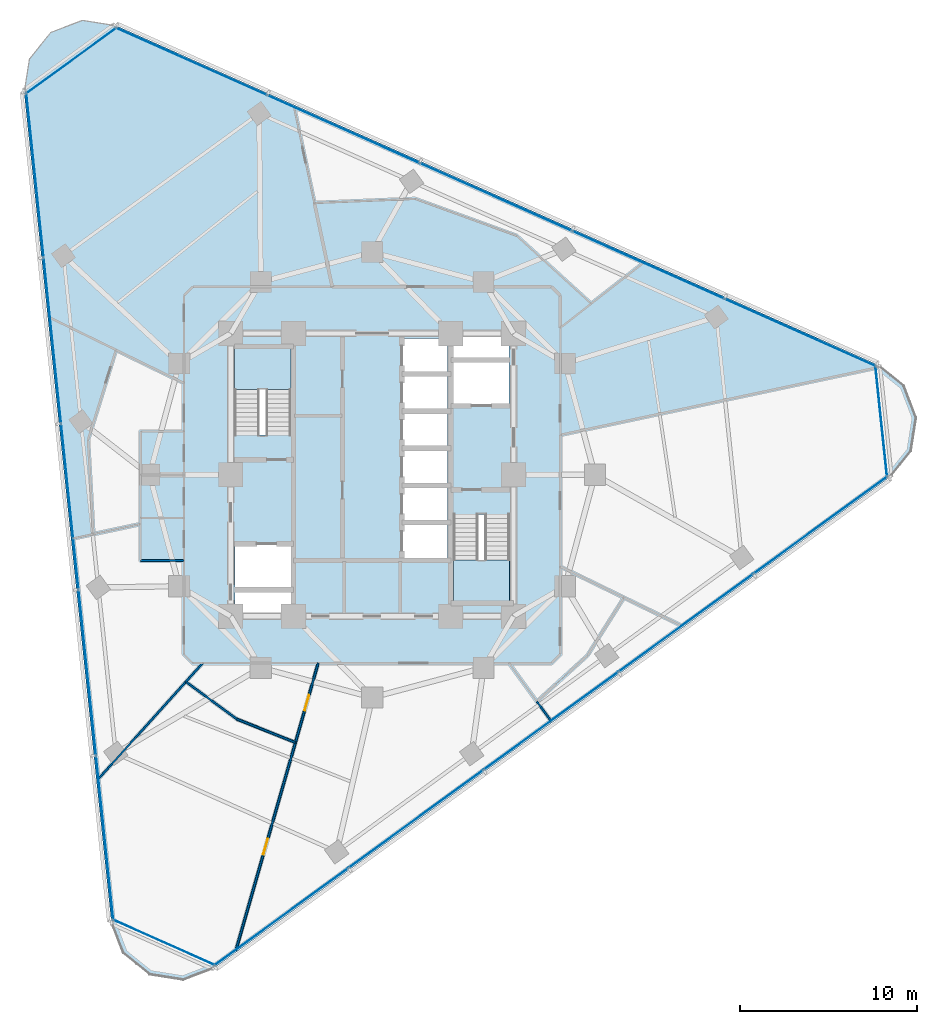
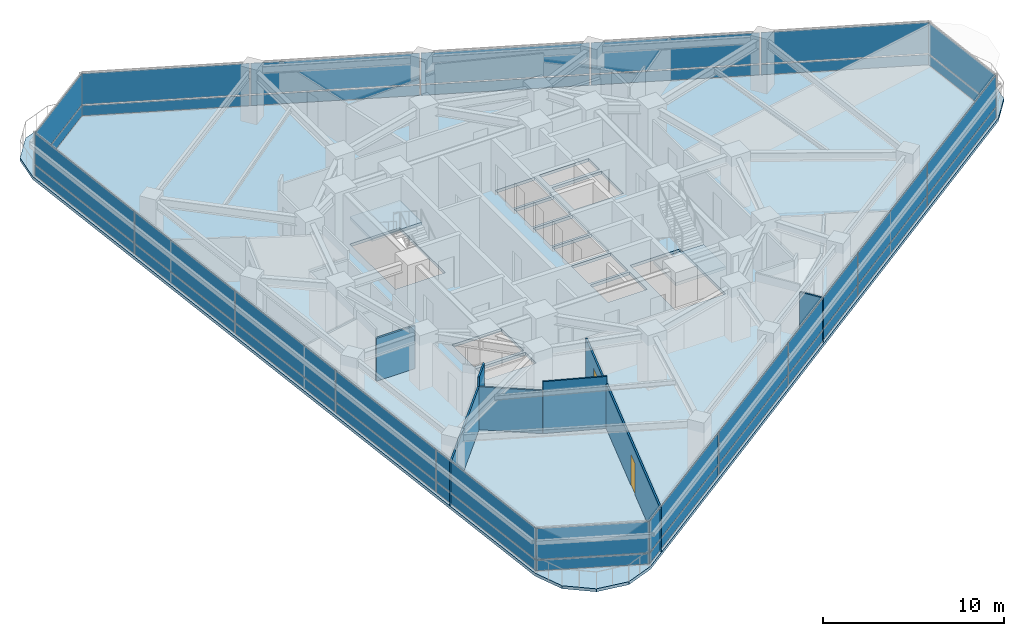
# One storey, part 7 of 14: 36 plates, 8 walls, 3 slabs, 2 doors, 2 openings, 8 elements without a shape of their own.
"""IFC4 building model written with IfcOpenShell, lengths in metres."""

from ifc_helpers import new_model, si_unit, direction, frame, frame_2d, origin, origin_2d, place, context, subcontext, project, spatial, polyline, rectangle, outline, extrude, material, layer, layer_set, type_object, element, fill, aggregate, save


model = new_model("IFC4")

# Units and contexts
model_context = context("Model", 3, precision=1e-05, world=origin(), true_north=direction((0.0, 1.0)))
body_context = subcontext(model_context, "Body", "Model", "MODEL_VIEW")
ifc_project = project(units=[si_unit("LENGTHUNIT", "METRE"), si_unit("AREAUNIT", "SQUARE_METRE"), si_unit("VOLUMEUNIT", "CUBIC_METRE"), si_unit("PLANEANGLEUNIT", "RADIAN"), si_unit("MASSUNIT", "GRAM", prefix="KILO")], contexts=[model_context])

# Site, building, storey
site_placement = place(None, origin())
site = spatial("IfcSite", under=ifc_project, at=site_placement, CompositionType="ELEMENT")
building_placement = place(site_placement, origin())
building = spatial("IfcBuilding", under=site, at=building_placement, Name="Terralouvre Media Tower", CompositionType="ELEMENT")
storey_placement = place(building_placement, frame((0.0, 0.0, 169.39990234375)))
storey = spatial("IfcBuildingStorey", under=building, at=storey_placement, Name="L43", CompositionType="ELEMENT", Elevation=169.39990234375)

# Slab
ifc_material_1 = material(Name="Concrete C40/50", Category="concrete")
ifc_layer_1 = layer(ifc_material_1, 0.199951171875, Name="Composite Tower Floor Slab S-TYP200")
ifc_layer_set_1 = layer_set([ifc_layer_1], Name="Concrete C40/50")
slab_type_1 = type_object("IfcSlabType", Name="Composite Tower Floor Slab S-TYP200", PredefinedType="FLOOR", material=ifc_layer_set_1)
slab_1_placement = place(storey_placement, frame((0.0, 0.0, -0.199951171875), z_axis=(0.0, 0.0, 1.0), x_axis=(0.809016994375, 0.587785252292, 0.0)))
element("IfcSlab", 1, at=slab_1_placement, inside=storey, type_object=slab_type_1, Name="L43 Structural Floor Slab", PredefinedType="FLOOR", context=body_context, shape_type="SweptSolid", body=[
    extrude(outline(polyline([(-26.80419921875, -11.775390625), (-27.300048828125, -13.62548828125), (-26.80419921875, -15.475341796875), (-25.449951171875, -16.829833984375), (-23.60009765625, -17.325439453125), (23.60009765625, -17.325439453125), (25.449951171875, -16.829833984375), (26.80419921875, -15.4755859375), (27.300048828125, -13.62548828125), (26.80419921875, -11.775390625), (3.204345703125, 29.100830078125), (1.85009765625, 30.455322265625), (0.0, 30.950927734375), (-1.85009765625, 30.455322265625), (-3.204345703125, 29.100830078125), (-26.80419921875, -11.775390625)]), holes=[polyline([(-7.600830078125, -2.6357421875), (-8.30615234375, -3.6064453125), (-10.8544921875, -1.7548828125), (-10.149169921875, -0.7841796875), (-7.600830078125, -2.6357421875)]), polyline([(-7.4833984375, -2.473876953125), (-10.03173828125, -0.622314453125), (-8.591552734375, 1.359619140625), (-6.043212890625, -0.49169921875), (-7.4833984375, -2.473876953125)]), polyline([(4.366943359375, -1.2197265625), (2.344482421875, 0.24951171875), (3.48486328125, 1.819091796875), (5.50732421875, 0.349609375), (4.366943359375, -1.2197265625)]), polyline([(6.74169921875, 2.048583984375), (5.601318359375, 0.47900390625), (3.578857421875, 1.948486328125), (4.71923828125, 3.51806640625), (6.74169921875, 2.048583984375)]), polyline([(-2.40185546875, 4.52001953125), (-4.974609375, 6.38916015625), (-2.02685546875, 10.446533203125), (0.5458984375, 8.577392578125), (-2.40185546875, 4.52001953125)]), polyline([(6.835693359375, 2.177978515625), (4.813232421875, 3.6474609375), (5.953369140625, 5.217041015625), (7.97607421875, 3.74755859375), (6.835693359375, 2.177978515625)]), polyline([(-0.5458984375, -8.577392578125), (2.40185546875, -4.52001953125), (4.974609375, -6.38916015625), (2.02685546875, -10.446533203125), (-0.5458984375, -8.577392578125)]), polyline([(0.6640625, -6.316650390625), (-1.358642578125, -4.84716796875), (-0.21826171875, -3.277587890625), (1.80419921875, -4.7470703125), (0.6640625, -6.316650390625)]), polyline([(1.8984375, -4.61767578125), (-0.124267578125, -3.148193359375), (1.01611328125, -1.578857421875), (3.03857421875, -3.04833984375), (1.8984375, -4.61767578125)]), polyline([(4.27294921875, -1.349365234375), (3.132568359375, -2.918701171875), (1.110107421875, -1.44921875), (2.25048828125, 0.1201171875), (4.27294921875, -1.349365234375)]), polyline([(8.591552734375, -1.359619140625), (6.043212890625, 0.49169921875), (7.4833984375, 2.473876953125), (10.03173828125, 0.622314453125), (8.591552734375, -1.359619140625)]), polyline([(10.149169921875, 0.7841796875), (7.600830078125, 2.6357421875), (8.30615234375, 3.6064453125), (10.8544921875, 1.7548828125), (10.149169921875, 0.7841796875)])]), origin(), (0.0, 0.0, 1.0), 0.199951171875),
])

# Stair, slab
ifc_material_2 = material(Name="Concrete C45/55", Category="concrete")
stair_type_1 = type_object("IfcStairType", Name="Dogleg Stair Assembly ST-01", PredefinedType="HALF_TURN_STAIR", material=ifc_material_2)
stair_1_placement = place(storey_placement, origin())
stair_1 = element("IfcStair", 2, at=stair_1_placement, inside=storey, type_object=stair_type_1, Name="L43 Core Pressurised Exit Stair ST-01", PredefinedType="HALF_TURN_STAIR")
ifc_material_3 = material(Name="Concrete C45/55", Category="concrete")
ifc_layer_2 = layer(ifc_material_3, 0.199951171875, Name="Reinforced Concrete Stair Half-Landing SL-LD1")
ifc_layer_set_2 = layer_set([ifc_layer_2], Name="Concrete C45/55")
slab_type_2 = type_object("IfcSlabType", Name="Reinforced Concrete Stair Half-Landing SL-LD1", PredefinedType="LANDING", material=ifc_layer_set_2)
slab_2_placement = place(storey_placement, frame((0.0, 0.0, 1.650146484375)))
slab_2 = element("IfcSlab", 3, at=slab_2_placement, type_object=slab_type_2, Name="ST-01 landing 1", PredefinedType="LANDING", context=body_context, shape_type="SweptSolid", body=[
    extrude(outline(polyline([(-4.60009765625, 4.820068359375), (-4.60009765625, 7.260009765625), (-7.780029296875, 7.260009765625), (-7.780029296875, 4.820068359375), (-4.60009765625, 4.820068359375)])), origin(), (0.0, 0.0, 1.0), 0.199951171875),
])
aggregate(stair_1, [slab_2])

ifc_material_4 = material(Name="Concrete C45/55", Category="concrete")
stair_type_2 = type_object("IfcStairType", Name="Dogleg Stair Assembly ST-02", PredefinedType="HALF_TURN_STAIR", material=ifc_material_4)
stair_2_placement = place(storey_placement, origin())
stair_2 = element("IfcStair", 4, at=stair_2_placement, inside=storey, type_object=stair_type_2, Name="L43 Core Pressurised Exit Stair ST-02", PredefinedType="HALF_TURN_STAIR")
slab_3_placement = place(storey_placement, frame((0.0, 0.0, 1.650146484375)))
slab_3 = element("IfcSlab", 5, at=slab_3_placement, type_object=slab_type_2, Name="ST-02 landing 1", PredefinedType="LANDING", context=body_context, shape_type="SweptSolid", body=[
    extrude(outline(polyline([(4.60009765625, -4.820068359375), (4.60009765625, -7.260009765625), (7.780029296875, -7.260009765625), (7.780029296875, -4.820068359375), (4.60009765625, -4.820068359375)])), origin(), (0.0, 0.0, 1.0), 0.199951171875),
])
aggregate(stair_2, [slab_3])

# Curtain wall, plates
ifc_material_5 = material(Name="Low-iron laminated double glazing with solar-control coating", Category="glass")
ifc_layer_3 = layer(ifc_material_5, 0.1650390625, Name="Rounded Wind-Corner Curved Glazing CW-04")
ifc_layer_set_3 = layer_set([ifc_layer_3], Name="Low-iron laminated double glazing with solar-control coating")
curtain_wall_type_1 = type_object("IfcCurtainWallType", Name="Rounded Wind-Corner Curved Glazing CW-04", PredefinedType="NOTDEFINED", material=ifc_layer_set_3)
curtain_wall_1_placement = place(storey_placement, origin())
curtain_wall_1 = element("IfcCurtainWall", 6, at=curtain_wall_1_placement, inside=storey, type_object=curtain_wall_type_1, Name="L43 Rounded Wind-Corner Curtain Wall C0", PredefinedType="NOTDEFINED")
ifc_material_6 = material(Name="Low-iron laminated double glazing with solar-control coating", Category="glass")
ifc_layer_4 = layer(ifc_material_6, 0.0400390625, Name="Rounded Corner Laminated Vision Panel CWP-03")
ifc_layer_set_4 = layer_set([ifc_layer_4], Name="Low-iron laminated double glazing with solar-control coating")
plate_type_1 = type_object("IfcPlateType", Name="Rounded Corner Laminated Vision Panel CWP-03", PredefinedType="CURTAIN_PANEL", material=ifc_layer_set_4)
plate_1_placement = place(storey_placement, frame((-11.779541015625, -26.45703125, 0.0751953125), z_axis=(0.0, 0.0, 1.0), x_axis=(0.913545408199, -0.406736754128, 0.0)))
plate_1 = element("IfcPlate", 7, at=plate_1_placement, type_object=plate_type_1, Name="CW-04 panel 1.1", PredefinedType="CURTAIN_PANEL", context=body_context, shape_type="SweptSolid", body=[
    extrude(rectangle(XDim=6.258544921875, YDim=0.035888671875, at=origin_2d()), origin(), (0.0, 0.0, 1.0), 0.6875),
])
plate_2_placement = place(storey_placement, frame((-11.779541015625, -26.45703125, 0.837646484375), z_axis=(0.0, 0.0, 1.0), x_axis=(0.913545408199, -0.406736754128, 0.0)))
plate_2 = element("IfcPlate", 8, at=plate_2_placement, type_object=plate_type_1, Name="CW-04 panel 1.2", PredefinedType="CURTAIN_PANEL", context=body_context, shape_type="SweptSolid", body=[
    extrude(rectangle(XDim=6.258544921875, YDim=0.035888671875, at=origin_2d()), origin(), (0.0, 0.0, 1.0), 2.08740234375),
])
aggregate(curtain_wall_1, [plate_1, plate_2])

curtain_wall_2_placement = place(storey_placement, origin())
curtain_wall_2 = element("IfcCurtainWall", 9, at=curtain_wall_2_placement, inside=storey, type_object=curtain_wall_type_1, Name="L43 Rounded Wind-Corner Curtain Wall C1", PredefinedType="NOTDEFINED")
plate_3_placement = place(storey_placement, frame((28.80224609375, 3.02734375, 0.0751953125), z_axis=(0.0, 0.0, 1.0), x_axis=(-0.10452850319, 0.994521891172, 0.0)))
plate_3 = element("IfcPlate", 10, at=plate_3_placement, type_object=plate_type_1, Name="CW-04 panel 1.1", PredefinedType="CURTAIN_PANEL", context=body_context, shape_type="SweptSolid", body=[
    extrude(rectangle(XDim=6.258544921875, YDim=0.035888671875, at=origin_2d()), origin(), (0.0, 0.0, 1.0), 0.6875),
])
plate_4_placement = place(storey_placement, frame((28.80224609375, 3.02734375, 0.837646484375), z_axis=(0.0, 0.0, 1.0), x_axis=(-0.10452850319, 0.994521891172, 0.0)))
plate_4 = element("IfcPlate", 11, at=plate_4_placement, type_object=plate_type_1, Name="CW-04 panel 1.2", PredefinedType="CURTAIN_PANEL", context=body_context, shape_type="SweptSolid", body=[
    extrude(rectangle(XDim=6.258544921875, YDim=0.035888671875, at=origin_2d()), origin(), (0.0, 0.0, 1.0), 2.08740234375),
])
aggregate(curtain_wall_2, [plate_3, plate_4])

curtain_wall_3_placement = place(storey_placement, origin())
curtain_wall_3 = element("IfcCurtainWall", 12, at=curtain_wall_3_placement, inside=storey, type_object=curtain_wall_type_1, Name="L43 Rounded Wind-Corner Curtain Wall C2", PredefinedType="NOTDEFINED")
plate_5_placement = place(storey_placement, frame((-17.022705078125, 23.429931640625, 0.0751953125), z_axis=(0.0, 0.0, 1.0), x_axis=(-0.809017438344, -0.587784641221, 0.0)))
plate_5 = element("IfcPlate", 13, at=plate_5_placement, type_object=plate_type_1, Name="CW-04 panel 1.1", PredefinedType="CURTAIN_PANEL", context=body_context, shape_type="SweptSolid", body=[
    extrude(rectangle(XDim=6.258544921875, YDim=0.035888671875, at=origin_2d()), origin(), (0.0, 0.0, 1.0), 0.6875),
])
plate_6_placement = place(storey_placement, frame((-17.022705078125, 23.429931640625, 0.837646484375), z_axis=(0.0, 0.0, 1.0), x_axis=(-0.809017438344, -0.587784641221, 0.0)))
plate_6 = element("IfcPlate", 14, at=plate_6_placement, type_object=plate_type_1, Name="CW-04 panel 1.2", PredefinedType="CURTAIN_PANEL", context=body_context, shape_type="SweptSolid", body=[
    extrude(rectangle(XDim=6.258544921875, YDim=0.035888671875, at=origin_2d()), origin(), (0.0, 0.0, 1.0), 2.08740234375),
])
aggregate(curtain_wall_3, [plate_5, plate_6])

ifc_material_7 = material(Name="Low-iron laminated double glazing with solar-control coating", Category="glass")
ifc_layer_5 = layer(ifc_material_7, 0.1650390625, Name="Production Studio Tower Curtain Wall CW-03")
ifc_layer_set_5 = layer_set([ifc_layer_5], Name="Low-iron laminated double glazing with solar-control coating")
curtain_wall_type_2 = type_object("IfcCurtainWallType", Name="Production Studio Tower Curtain Wall CW-03", PredefinedType="NOTDEFINED", material=ifc_layer_set_5)
curtain_wall_4_placement = place(storey_placement, origin())
curtain_wall_4 = element("IfcCurtainWall", 15, at=curtain_wall_4_placement, inside=storey, type_object=curtain_wall_type_2, Name="L43 Facade Curtain Wall F0", PredefinedType="NOTDEFINED")
ifc_material_8 = material(Name="Low-iron laminated double glazing with solar-control coating", Category="glass")
ifc_layer_6 = layer(ifc_material_8, 0.035888671875, Name="Vision Double-Glazed Unit CWP-01")
ifc_layer_set_6 = layer_set([ifc_layer_6], Name="Low-iron laminated double glazing with solar-control coating")
plate_type_2 = type_object("IfcPlateType", Name="Vision Double-Glazed Unit CWP-01", PredefinedType="CURTAIN_PANEL", material=ifc_layer_set_6)
plate_7_placement = place(storey_placement, frame((-5.14599609375, -25.005859375, 0.0751953125), z_axis=(0.0, 0.0, 1.0), x_axis=(0.809016917383, 0.587785358263, 0.0)))
plate_7 = element("IfcPlate", 16, at=plate_7_placement, type_object=plate_type_2, Name="CW-03 panel 1.1", PredefinedType="CURTAIN_PANEL", context=body_context, shape_type="SweptSolid", body=[
    extrude(rectangle(XDim=9.327392578125, YDim=0.035888671875, at=origin_2d()), origin(), (0.0, 0.0, 1.0), 0.6875),
])
plate_8_placement = place(storey_placement, frame((-5.14599609375, -25.005859375, 0.837646484375), z_axis=(0.0, 0.0, 1.0), x_axis=(0.809016917383, 0.587785358263, 0.0)))
plate_8 = element("IfcPlate", 17, at=plate_8_placement, type_object=plate_type_2, Name="CW-03 panel 1.2", PredefinedType="CURTAIN_PANEL", context=body_context, shape_type="SweptSolid", body=[
    extrude(rectangle(XDim=9.327392578125, YDim=0.035888671875, at=origin_2d()), origin(), (0.0, 0.0, 1.0), 2.08740234375),
])
plate_9_placement = place(storey_placement, frame((2.47607421875, -19.46826171875, 0.0751953125), z_axis=(0.0, 0.0, 1.0), x_axis=(0.809016917383, 0.587785358263, 0.0)))
plate_9 = element("IfcPlate", 18, at=plate_9_placement, type_object=plate_type_2, Name="CW-03 panel 2.1", PredefinedType="CURTAIN_PANEL", context=body_context, shape_type="SweptSolid", body=[
    extrude(rectangle(XDim=9.364990234375, YDim=0.035888671875, at=origin_2d()), origin(), (0.0, 0.0, 1.0), 0.6875),
])
plate_10_placement = place(storey_placement, frame((2.47607421875, -19.46826171875, 0.837646484375), z_axis=(0.0, 0.0, 1.0), x_axis=(0.809016917383, 0.587785358263, 0.0)))
plate_10 = element("IfcPlate", 19, at=plate_10_placement, type_object=plate_type_2, Name="CW-03 panel 2.2", PredefinedType="CURTAIN_PANEL", context=body_context, shape_type="SweptSolid", body=[
    extrude(rectangle(XDim=9.364990234375, YDim=0.035888671875, at=origin_2d()), origin(), (0.0, 0.0, 1.0), 2.08740234375),
])
plate_11_placement = place(storey_placement, frame((10.113037109375, -13.91943359375, 0.0751953125), z_axis=(0.0, 0.0, 1.0), x_axis=(0.809016917383, 0.587785358263, 0.0)))
plate_11 = element("IfcPlate", 20, at=plate_11_placement, type_object=plate_type_2, Name="CW-03 panel 3.1", PredefinedType="CURTAIN_PANEL", context=body_context, shape_type="SweptSolid", body=[
    extrude(rectangle(XDim=9.364990234375, YDim=0.035888671875, at=origin_2d()), origin(), (0.0, 0.0, 1.0), 0.6875),
])
plate_12_placement = place(storey_placement, frame((10.113037109375, -13.91943359375, 0.837646484375), z_axis=(0.0, 0.0, 1.0), x_axis=(0.809016917383, 0.587785358263, 0.0)))
plate_12 = element("IfcPlate", 21, at=plate_12_placement, type_object=plate_type_2, Name="CW-03 panel 3.2", PredefinedType="CURTAIN_PANEL", context=body_context, shape_type="SweptSolid", body=[
    extrude(rectangle(XDim=9.364990234375, YDim=0.035888671875, at=origin_2d()), origin(), (0.0, 0.0, 1.0), 2.08740234375),
])
plate_13_placement = place(storey_placement, frame((17.750244140625, -8.370849609375, 0.0751953125), z_axis=(0.0, 0.0, 1.0), x_axis=(0.809016917383, 0.587785358263, 0.0)))
plate_13 = element("IfcPlate", 22, at=plate_13_placement, type_object=plate_type_2, Name="CW-03 panel 4.1", PredefinedType="CURTAIN_PANEL", context=body_context, shape_type="SweptSolid", body=[
    extrude(rectangle(XDim=9.364990234375, YDim=0.035888671875, at=origin_2d()), origin(), (0.0, 0.0, 1.0), 0.6875),
])
plate_14_placement = place(storey_placement, frame((17.750244140625, -8.370849609375, 0.837646484375), z_axis=(0.0, 0.0, 1.0), x_axis=(0.809016917383, 0.587785358263, 0.0)))
plate_14 = element("IfcPlate", 23, at=plate_14_placement, type_object=plate_type_2, Name="CW-03 panel 4.2", PredefinedType="CURTAIN_PANEL", context=body_context, shape_type="SweptSolid", body=[
    extrude(rectangle(XDim=9.364990234375, YDim=0.035888671875, at=origin_2d()), origin(), (0.0, 0.0, 1.0), 2.08740234375),
])
plate_15_placement = place(storey_placement, frame((25.3720703125, -2.833251953125, 0.0751953125), z_axis=(0.0, 0.0, 1.0), x_axis=(0.809016917383, 0.587785358263, 0.0)))
plate_15 = element("IfcPlate", 24, at=plate_15_placement, type_object=plate_type_2, Name="CW-03 panel 5.1", PredefinedType="CURTAIN_PANEL", context=body_context, shape_type="SweptSolid", body=[
    extrude(rectangle(XDim=9.327392578125, YDim=0.035888671875, at=origin_2d()), origin(), (0.0, 0.0, 1.0), 0.6875),
])
plate_16_placement = place(storey_placement, frame((25.3720703125, -2.833251953125, 0.837646484375), z_axis=(0.0, 0.0, 1.0), x_axis=(0.809016917383, 0.587785358263, 0.0)))
plate_16 = element("IfcPlate", 25, at=plate_16_placement, type_object=plate_type_2, Name="CW-03 panel 5.2", PredefinedType="CURTAIN_PANEL", context=body_context, shape_type="SweptSolid", body=[
    extrude(rectangle(XDim=9.327392578125, YDim=0.035888671875, at=origin_2d()), origin(), (0.0, 0.0, 1.0), 2.08740234375),
])
aggregate(curtain_wall_4, [plate_7, plate_8, plate_9, plate_10, plate_11, plate_12, plate_13, plate_14, plate_15, plate_16])

curtain_wall_5_placement = place(storey_placement, origin())
curtain_wall_5 = element("IfcCurtainWall", 26, at=curtain_wall_5_placement, inside=storey, type_object=curtain_wall_type_2, Name="L43 Facade Curtain Wall F1", PredefinedType="NOTDEFINED")
plate_17_placement = place(storey_placement, frame((24.228759765625, 8.04638671875, 0.0751953125), z_axis=(0.0, 0.0, 1.0), x_axis=(-0.913545469547, 0.406736616337, 0.0)))
plate_17 = element("IfcPlate", 27, at=plate_17_placement, type_object=plate_type_2, Name="CW-03 panel 1.1", PredefinedType="CURTAIN_PANEL", context=body_context, shape_type="SweptSolid", body=[
    extrude(rectangle(XDim=9.327392578125, YDim=0.035888671875, at=origin_2d()), origin(), (0.0, 0.0, 1.0), 0.6875),
])
plate_18_placement = place(storey_placement, frame((24.228759765625, 8.04638671875, 0.837646484375), z_axis=(0.0, 0.0, 1.0), x_axis=(-0.913545469547, 0.406736616337, 0.0)))
plate_18 = element("IfcPlate", 28, at=plate_18_placement, type_object=plate_type_2, Name="CW-03 panel 1.2", PredefinedType="CURTAIN_PANEL", context=body_context, shape_type="SweptSolid", body=[
    extrude(rectangle(XDim=9.327392578125, YDim=0.035888671875, at=origin_2d()), origin(), (0.0, 0.0, 1.0), 2.08740234375),
])
plate_19_placement = place(storey_placement, frame((15.6220703125, 11.87841796875, 0.0751953125), z_axis=(0.0, 0.0, 1.0), x_axis=(-0.913545469547, 0.406736616337, 0.0)))
plate_19 = element("IfcPlate", 29, at=plate_19_placement, type_object=plate_type_2, Name="CW-03 panel 2.1", PredefinedType="CURTAIN_PANEL", context=body_context, shape_type="SweptSolid", body=[
    extrude(rectangle(XDim=9.364990234375, YDim=0.035888671875, at=origin_2d()), origin(), (0.0, 0.0, 1.0), 0.6875),
])
plate_20_placement = place(storey_placement, frame((15.6220703125, 11.87841796875, 0.837646484375), z_axis=(0.0, 0.0, 1.0), x_axis=(-0.913545469547, 0.406736616337, 0.0)))
plate_20 = element("IfcPlate", 30, at=plate_20_placement, type_object=plate_type_2, Name="CW-03 panel 2.2", PredefinedType="CURTAIN_PANEL", context=body_context, shape_type="SweptSolid", body=[
    extrude(rectangle(XDim=9.364990234375, YDim=0.035888671875, at=origin_2d()), origin(), (0.0, 0.0, 1.0), 2.08740234375),
])
plate_21_placement = place(storey_placement, frame((6.998046875, 15.718017578125, 0.0751953125), z_axis=(0.0, 0.0, 1.0), x_axis=(-0.913545469547, 0.406736616337, 0.0)))
plate_21 = element("IfcPlate", 31, at=plate_21_placement, type_object=plate_type_2, Name="CW-03 panel 3.1", PredefinedType="CURTAIN_PANEL", context=body_context, shape_type="SweptSolid", body=[
    extrude(rectangle(XDim=9.364990234375, YDim=0.035888671875, at=origin_2d()), origin(), (0.0, 0.0, 1.0), 0.6875),
])
plate_22_placement = place(storey_placement, frame((6.998046875, 15.718017578125, 0.837646484375), z_axis=(0.0, 0.0, 1.0), x_axis=(-0.913545469547, 0.406736616337, 0.0)))
plate_22 = element("IfcPlate", 32, at=plate_22_placement, type_object=plate_type_2, Name="CW-03 panel 3.2", PredefinedType="CURTAIN_PANEL", context=body_context, shape_type="SweptSolid", body=[
    extrude(rectangle(XDim=9.364990234375, YDim=0.035888671875, at=origin_2d()), origin(), (0.0, 0.0, 1.0), 2.08740234375),
])
plate_23_placement = place(storey_placement, frame((-1.625732421875, 19.5576171875, 0.0751953125), z_axis=(0.0, 0.0, 1.0), x_axis=(-0.913545469547, 0.406736616337, 0.0)))
plate_23 = element("IfcPlate", 33, at=plate_23_placement, type_object=plate_type_2, Name="CW-03 panel 4.1", PredefinedType="CURTAIN_PANEL", context=body_context, shape_type="SweptSolid", body=[
    extrude(rectangle(XDim=9.364990234375, YDim=0.035888671875, at=origin_2d()), origin(), (0.0, 0.0, 1.0), 0.6875),
])
plate_24_placement = place(storey_placement, frame((-1.625732421875, 19.5576171875, 0.837646484375), z_axis=(0.0, 0.0, 1.0), x_axis=(-0.913545469547, 0.406736616337, 0.0)))
plate_24 = element("IfcPlate", 34, at=plate_24_placement, type_object=plate_type_2, Name="CW-03 panel 4.2", PredefinedType="CURTAIN_PANEL", context=body_context, shape_type="SweptSolid", body=[
    extrude(rectangle(XDim=9.364990234375, YDim=0.035888671875, at=origin_2d()), origin(), (0.0, 0.0, 1.0), 2.08740234375),
])
plate_25_placement = place(storey_placement, frame((-10.232421875, 23.3896484375, 0.0751953125), z_axis=(0.0, 0.0, 1.0), x_axis=(-0.913545469547, 0.406736616337, 0.0)))
plate_25 = element("IfcPlate", 35, at=plate_25_placement, type_object=plate_type_2, Name="CW-03 panel 5.1", PredefinedType="CURTAIN_PANEL", context=body_context, shape_type="SweptSolid", body=[
    extrude(rectangle(XDim=9.327392578125, YDim=0.035888671875, at=origin_2d()), origin(), (0.0, 0.0, 1.0), 0.6875),
])
plate_26_placement = place(storey_placement, frame((-10.232421875, 23.3896484375, 0.837646484375), z_axis=(0.0, 0.0, 1.0), x_axis=(-0.913545469547, 0.406736616337, 0.0)))
plate_26 = element("IfcPlate", 36, at=plate_26_placement, type_object=plate_type_2, Name="CW-03 panel 5.2", PredefinedType="CURTAIN_PANEL", context=body_context, shape_type="SweptSolid", body=[
    extrude(rectangle(XDim=9.327392578125, YDim=0.035888671875, at=origin_2d()), origin(), (0.0, 0.0, 1.0), 2.08740234375),
])
aggregate(curtain_wall_5, [plate_17, plate_18, plate_19, plate_20, plate_21, plate_22, plate_23, plate_24, plate_25, plate_26])

curtain_wall_6_placement = place(storey_placement, origin())
curtain_wall_6 = element("IfcCurtainWall", 37, at=curtain_wall_6_placement, inside=storey, type_object=curtain_wall_type_2, Name="L43 Facade Curtain Wall F2", PredefinedType="NOTDEFINED")
plate_27_placement = place(storey_placement, frame((-19.082763671875, 16.95947265625, 0.0751953125), z_axis=(0.0, 0.0, 1.0), x_axis=(0.104528376236, -0.994521904516, 0.0)))
plate_27 = element("IfcPlate", 38, at=plate_27_placement, type_object=plate_type_2, Name="CW-03 panel 1.1", PredefinedType="CURTAIN_PANEL", context=body_context, shape_type="SweptSolid", body=[
    extrude(rectangle(XDim=9.327392578125, YDim=0.035888671875, at=origin_2d()), origin(), (0.0, 0.0, 1.0), 0.6875),
])
plate_28_placement = place(storey_placement, frame((-19.082763671875, 16.95947265625, 0.837646484375), z_axis=(0.0, 0.0, 1.0), x_axis=(0.104528376236, -0.994521904516, 0.0)))
plate_28 = element("IfcPlate", 39, at=plate_28_placement, type_object=plate_type_2, Name="CW-03 panel 1.2", PredefinedType="CURTAIN_PANEL", context=body_context, shape_type="SweptSolid", body=[
    extrude(rectangle(XDim=9.327392578125, YDim=0.035888671875, at=origin_2d()), origin(), (0.0, 0.0, 1.0), 2.08740234375),
])
plate_29_placement = place(storey_placement, frame((-18.097900390625, 7.58984375, 0.0751953125), z_axis=(0.0, 0.0, 1.0), x_axis=(0.104528376236, -0.994521904516, 0.0)))
plate_29 = element("IfcPlate", 40, at=plate_29_placement, type_object=plate_type_2, Name="CW-03 panel 2.1", PredefinedType="CURTAIN_PANEL", context=body_context, shape_type="SweptSolid", body=[
    extrude(rectangle(XDim=9.364990234375, YDim=0.035888671875, at=origin_2d()), origin(), (0.0, 0.0, 1.0), 0.6875),
])
plate_30_placement = place(storey_placement, frame((-18.097900390625, 7.58984375, 0.837646484375), z_axis=(0.0, 0.0, 1.0), x_axis=(0.104528376236, -0.994521904516, 0.0)))
plate_30 = element("IfcPlate", 41, at=plate_30_placement, type_object=plate_type_2, Name="CW-03 panel 2.2", PredefinedType="CURTAIN_PANEL", context=body_context, shape_type="SweptSolid", body=[
    extrude(rectangle(XDim=9.364990234375, YDim=0.035888671875, at=origin_2d()), origin(), (0.0, 0.0, 1.0), 2.08740234375),
])
plate_31_placement = place(storey_placement, frame((-17.111328125, -1.79833984375, 0.0751953125), z_axis=(0.0, 0.0, 1.0), x_axis=(0.104528376236, -0.994521904516, 0.0)))
plate_31 = element("IfcPlate", 42, at=plate_31_placement, type_object=plate_type_2, Name="CW-03 panel 3.1", PredefinedType="CURTAIN_PANEL", context=body_context, shape_type="SweptSolid", body=[
    extrude(rectangle(XDim=9.364990234375, YDim=0.035888671875, at=origin_2d()), origin(), (0.0, 0.0, 1.0), 0.6875),
])
plate_32_placement = place(storey_placement, frame((-17.111328125, -1.79833984375, 0.837646484375), z_axis=(0.0, 0.0, 1.0), x_axis=(0.104528376236, -0.994521904516, 0.0)))
plate_32 = element("IfcPlate", 43, at=plate_32_placement, type_object=plate_type_2, Name="CW-03 panel 3.2", PredefinedType="CURTAIN_PANEL", context=body_context, shape_type="SweptSolid", body=[
    extrude(rectangle(XDim=9.364990234375, YDim=0.035888671875, at=origin_2d()), origin(), (0.0, 0.0, 1.0), 2.08740234375),
])
plate_33_placement = place(storey_placement, frame((-16.12451171875, -11.186767578125, 0.0751953125), z_axis=(0.0, 0.0, 1.0), x_axis=(0.104528376236, -0.994521904516, 0.0)))
plate_33 = element("IfcPlate", 44, at=plate_33_placement, type_object=plate_type_2, Name="CW-03 panel 4.1", PredefinedType="CURTAIN_PANEL", context=body_context, shape_type="SweptSolid", body=[
    extrude(rectangle(XDim=9.364990234375, YDim=0.035888671875, at=origin_2d()), origin(), (0.0, 0.0, 1.0), 0.6875),
])
plate_34_placement = place(storey_placement, frame((-16.12451171875, -11.186767578125, 0.837646484375), z_axis=(0.0, 0.0, 1.0), x_axis=(0.104528376236, -0.994521904516, 0.0)))
plate_34 = element("IfcPlate", 45, at=plate_34_placement, type_object=plate_type_2, Name="CW-03 panel 4.2", PredefinedType="CURTAIN_PANEL", context=body_context, shape_type="SweptSolid", body=[
    extrude(rectangle(XDim=9.364990234375, YDim=0.035888671875, at=origin_2d()), origin(), (0.0, 0.0, 1.0), 2.08740234375),
])
plate_35_placement = place(storey_placement, frame((-15.1396484375, -20.556396484375, 0.0751953125), z_axis=(0.0, 0.0, 1.0), x_axis=(0.104528376236, -0.994521904516, 0.0)))
plate_35 = element("IfcPlate", 46, at=plate_35_placement, type_object=plate_type_2, Name="CW-03 panel 5.1", PredefinedType="CURTAIN_PANEL", context=body_context, shape_type="SweptSolid", body=[
    extrude(rectangle(XDim=9.327392578125, YDim=0.035888671875, at=origin_2d()), origin(), (0.0, 0.0, 1.0), 0.6875),
])
plate_36_placement = place(storey_placement, frame((-15.1396484375, -20.556396484375, 0.837646484375), z_axis=(0.0, 0.0, 1.0), x_axis=(0.104528376236, -0.994521904516, 0.0)))
plate_36 = element("IfcPlate", 47, at=plate_36_placement, type_object=plate_type_2, Name="CW-03 panel 5.2", PredefinedType="CURTAIN_PANEL", context=body_context, shape_type="SweptSolid", body=[
    extrude(rectangle(XDim=9.327392578125, YDim=0.035888671875, at=origin_2d()), origin(), (0.0, 0.0, 1.0), 2.08740234375),
])
aggregate(curtain_wall_6, [plate_27, plate_28, plate_29, plate_30, plate_31, plate_32, plate_33, plate_34, plate_35, plate_36])

# Walls
ifc_material_9 = material(Name="Low-iron laminated double glazing with solar-control coating", Category="glass")
ifc_layer_7 = layer(ifc_material_9, 0.10009765625, Name="Demountable Glazed Office Partition PT-GL100")
ifc_layer_set_7 = layer_set([ifc_layer_7], Name="Low-iron laminated double glazing with solar-control coating")
wall_type_1 = type_object("IfcWallType", Name="Demountable Glazed Office Partition PT-GL100", PredefinedType="MOVABLE", material=ifc_layer_set_7)
wall_1_placement = place(storey_placement, frame((-10.541015625, -11.70703125, 0.0), z_axis=(0.0, 0.0, 1.0), x_axis=(0.669154347467, 0.743123448201, 0.0)))
element("IfcWall", 48, at=wall_1_placement, inside=storey, type_object=wall_type_1, Name="L43 Interior Partition 027", PredefinedType="MOVABLE", context=body_context, shape_type="SweptSolid", body=[
    extrude(rectangle(XDim=1.422607421875, YDim=0.10009765625, at=frame_2d((0.71142578125, 0.0))), origin(), (0.0, 0.0, 1.0), 3.5),
])
wall_2_placement = place(storey_placement, frame((-15.52783203125, -17.244873046875, 0.0), z_axis=(0.0, 0.0, 1.0), x_axis=(0.669169234172, 0.74311004302, 0.0)))
element("IfcWall", 49, at=wall_2_placement, inside=storey, type_object=wall_type_1, Name="L43 Interior Partition 028", PredefinedType="MOVABLE", context=body_context, shape_type="SweptSolid", body=[
    extrude(rectangle(XDim=7.4521484375, YDim=0.10009765625, at=frame_2d((3.72607421875, 0.0))), origin(), (0.0, 0.0, 1.0), 2.885009765625),
])
wall_3_placement = place(storey_placement, frame((-10.541015625, -11.70703125, 0.0), z_axis=(0.0, 0.0, 1.0), x_axis=(0.806504929698, -0.591227366055, 0.0)))
element("IfcWall", 50, at=wall_3_placement, inside=storey, type_object=wall_type_1, Name="L43 Interior Partition 031", PredefinedType="MOVABLE", context=body_context, shape_type="SweptSolid", body=[
    extrude(rectangle(XDim=3.572265625, YDim=0.10009765625, at=frame_2d((1.7861328125, 0.0))), origin(), (0.0, 0.0, 1.0), 2.885009765625),
])
wall_4_placement = place(storey_placement, frame((-7.659912109375, -13.819091796875, 0.0), z_axis=(0.0, 0.0, 1.0), x_axis=(0.928782740603, -0.37062463593, 0.0)))
element("IfcWall", 51, at=wall_4_placement, inside=storey, type_object=wall_type_1, Name="L43 Interior Partition 032", PredefinedType="MOVABLE", context=body_context, shape_type="SweptSolid", body=[
    extrude(rectangle(XDim=3.572265625, YDim=0.10009765625, at=frame_2d((1.7861328125, 0.0))), origin(), (0.0, 0.0, 1.0), 3.5),
])

# Wall, opening, door
wall_5_placement = place(storey_placement, frame((-4.342041015625, -15.14306640625, 0.0), z_axis=(0.0, 0.0, 1.0), x_axis=(0.275576442642, 0.961279160422, 0.0)))
wall_5 = element("IfcWall", 52, at=wall_5_placement, inside=storey, type_object=wall_type_1, Name="L43 Interior Partition 033", PredefinedType="MOVABLE", context=body_context, shape_type="SweptSolid", body=[
    extrude(rectangle(XDim=4.674072265625, YDim=0.10009765625, at=frame_2d((2.3369140625, 0.0))), origin(), (0.0, 0.0, 1.0), 2.885009765625),
])
opening_1_placement = place(wall_5_placement, frame((1.876953125, 0.0, 0.0)))
opening_1 = element("IfcOpeningElement", 53, at=opening_1_placement, cuts=wall_5, Name="Opening ID-03-92X210", PredefinedType="OPENING", context=body_context, shape_type="SweptSolid", body=[
    extrude(rectangle(XDim=0.919921875, YDim=2.10009765625, at=frame_2d((0.4599609375, 1.050048828125))), frame((0.0, 0.06005859375, 0.0), z_axis=(0.0, -1.0, 0.0), x_axis=(1.0, 0.0, 0.0)), (0.0, 0.0, 1.0), 0.1201171875),
])
ifc_material_10 = material(Name="Engineered hardwood acoustic timber leaf", Category="wood")
door_type = type_object("IfcDoorType", Name="Accessible Restroom and Suite Door ID-03 (920x2100)", OperationType="NOTDEFINED", PredefinedType="DOOR", material=ifc_material_10)
door_1_placement = place(opening_1_placement, origin())
door_1 = element("IfcDoor", 54, at=door_1_placement, inside=storey, type_object=door_type, Name="L43 Broadcast Ethics Seminar Room 2 Door", OperationType="SINGLE_SWING_LEFT", OverallHeight=2.10009765625, OverallWidth=0.919921875, PredefinedType="DOOR", context=body_context, shape_type="SweptSolid", body=[
    extrude(rectangle(XDim=0.919921875, YDim=2.10009765625, at=frame_2d((0.4599609375, 1.050048828125))), frame((0.0, 0.02490234375, 0.0), z_axis=(0.0, -1.0, 0.0), x_axis=(1.0, 0.0, 0.0)), (0.0, 0.0, 1.0), 0.050048828125),
])
fill(opening_1, door_1)

wall_6_placement = place(storey_placement, frame((-7.720703125, -26.926025390625, 0.0), z_axis=(0.0, 0.0, 1.0), x_axis=(0.275633812082, 0.961262712081, 0.0)))
wall_6 = element("IfcWall", 55, at=wall_6_placement, inside=storey, type_object=wall_type_1, Name="L43 Interior Partition 034", PredefinedType="MOVABLE", context=body_context, shape_type="SweptSolid", body=[
    extrude(rectangle(XDim=12.2578125, YDim=0.10009765625, at=frame_2d((6.12890625, 0.0))), origin(), (0.0, 0.0, 1.0), 2.985107421875),
])
opening_2_placement = place(wall_6_placement, frame((5.6689453125, 0.0, 0.0)))
opening_2 = element("IfcOpeningElement", 56, at=opening_2_placement, cuts=wall_6, Name="Opening ID-03-92X210", PredefinedType="OPENING", context=body_context, shape_type="SweptSolid", body=[
    extrude(rectangle(XDim=0.919921875, YDim=2.10009765625, at=frame_2d((0.4599609375, 1.050048828125))), frame((0.0, 0.06005859375, 0.0), z_axis=(0.0, -1.0, 0.0), x_axis=(1.0, 0.0, 0.0)), (0.0, 0.0, 1.0), 0.1201171875),
])
door_2_placement = place(opening_2_placement, origin())
door_2 = element("IfcDoor", 57, at=door_2_placement, inside=storey, type_object=door_type, Name="L43 Voice Coaching Interview Room 3 Door", OperationType="SINGLE_SWING_RIGHT", OverallHeight=2.10009765625, OverallWidth=0.919921875, PredefinedType="DOOR", context=body_context, shape_type="SweptSolid", body=[
    extrude(rectangle(XDim=0.919921875, YDim=2.10009765625, at=frame_2d((0.4599609375, 1.050048828125))), frame((0.0, 0.02490234375, 0.0), z_axis=(0.0, -1.0, 0.0), x_axis=(1.0, 0.0, 0.0)), (0.0, 0.0, 1.0), 0.050048828125),
])
fill(opening_2, door_2)

# Walls
wall_7_placement = place(storey_placement, frame((10.13623046875, -13.9521484375, 0.0), z_axis=(0.0, 0.0, 1.0), x_axis=(-0.587422991792, 0.809280068156, 0.0)))
element("IfcWall", 58, at=wall_7_placement, inside=storey, type_object=wall_type_1, Name="L43 Interior Partition 036", PredefinedType="MOVABLE", context=body_context, shape_type="SweptSolid", body=[
    extrude(rectangle(XDim=1.396484375, YDim=0.10009765625, at=frame_2d((0.6982421875, 0.0))), origin(), (0.0, 0.0, 1.0), 2.985107421875),
])
ifc_material_11 = material(Name="Fire-rated gypsum board drywall partition")
ifc_layer_8 = layer(ifc_material_11, 0.114990234375, Name="Restroom and Pantry Partition PT-115")
ifc_layer_set_8 = layer_set([ifc_layer_8], Name="Fire-rated gypsum board drywall partition")
wall_type_2 = type_object("IfcWallType", Name="Restroom and Pantry Partition PT-115", PredefinedType="PARTITIONING", material=ifc_layer_set_8)
wall_8_placement = place(storey_placement, frame((-13.10009765625, -4.85009765625, 0.0), z_axis=(0.0, 0.0, 1.0), x_axis=(1.0, 0.0, 0.0)))
element("IfcWall", 59, at=wall_8_placement, inside=storey, type_object=wall_type_2, Name="L43 Interior Partition 025", PredefinedType="PARTITIONING", context=body_context, shape_type="SweptSolid", body=[
    extrude(rectangle(XDim=2.4501953125, YDim=0.114990234375, at=frame_2d((1.22509765625, 0.0))), origin(), (0.0, 0.0, 1.0), 2.885009765625),
])

save(model, "model.ifc")
